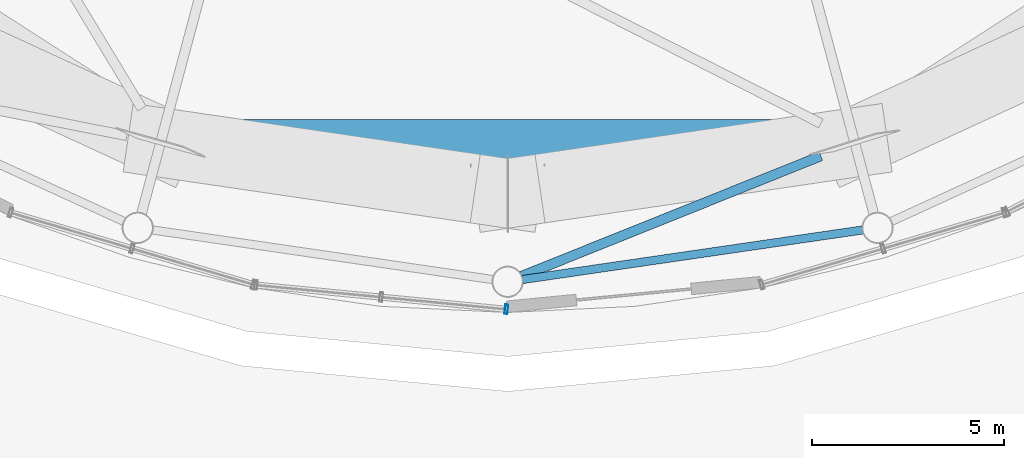
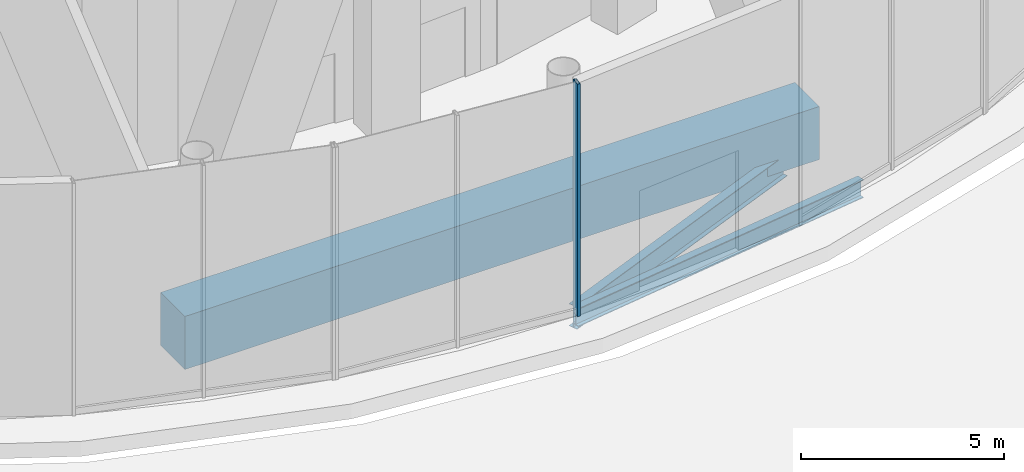
# One storey, part 14 of 67: 2 beams, 2 members, 1 element without a shape of its own.
"""IFC4 building model written with IfcOpenShell, lengths in metres."""

from ifc_helpers import new_model, si_unit, direction, frame, origin, origin_2d, place, context, subcontext, project, spatial, rectangle, hollow_rectangle, i_section, extrude, material, layer, layer_set, material_profile, profile_set, type_object, element, aggregate, save


model = new_model("IFC4")

# Units and contexts
model_context = context("Model", 3, precision=1e-05, world=origin(), true_north=direction((0.0, 1.0)))
body_context = subcontext(model_context, "Body", "Model", "MODEL_VIEW")
ifc_project = project(units=[si_unit("LENGTHUNIT", "METRE"), si_unit("AREAUNIT", "SQUARE_METRE"), si_unit("VOLUMEUNIT", "CUBIC_METRE"), si_unit("PLANEANGLEUNIT", "RADIAN"), si_unit("MASSUNIT", "GRAM", prefix="KILO")], contexts=[model_context])

# Site, building, storey
site_placement = place(None, origin())
site = spatial("IfcSite", under=ifc_project, at=site_placement, CompositionType="ELEMENT")
building_placement = place(site_placement, origin())
building = spatial("IfcBuilding", under=site, at=building_placement, Name="Nagisa Residences", CompositionType="ELEMENT")
storey_placement = place(building_placement, origin())
storey = spatial("IfcBuildingStorey", under=building, at=storey_placement, Name="L00", CompositionType="ELEMENT", Elevation=0.0)

# Beams
ifc_material_1 = material(Name="Steel ASTM A572 Gr 50", Category="steel")
ifc_material_profile_1 = material_profile(ifc_material_1, i_section(OverallWidth=0.2529296875, OverallDepth=0.677978515625, WebThickness=0.01171875, FlangeThickness=0.016357421875, at=origin_2d()), Name="W690x125")
ifc_profile_set_1 = profile_set([ifc_material_profile_1], Name="Steel ASTM A572 Gr 50")
beam_type_1 = type_object("IfcBeamType", Name="Atrium outer beam W690x125", PredefinedType="BEAM", material=ifc_profile_set_1)
beam_1_placement = place(storey_placement, frame((11.75146484375, -37.92822265625, -0.739013671875), z_axis=(-0.928030882423, -0.372503263435, 0.0), x_axis=(0.372503263435, -0.928030882423, 0.0)))
element("IfcBeam", 1, at=beam_1_placement, inside=storey, type_object=beam_type_1, Name="beam:L00:er19b", PredefinedType="BEAM", context=body_context, shape_type="SweptSolid", body=[
    extrude(i_section(OverallWidth=0.2529296875, OverallDepth=0.677978515625, WebThickness=0.01171875, FlangeThickness=0.016357421875, at=origin_2d()), origin(), (0.0, 0.0, 1.0), 8.39697265625),
])
ifc_material_2 = material(Name="Steel ASTM A572 Gr 50", Category="steel")
ifc_material_profile_2 = material_profile(ifc_material_2, i_section(OverallWidth=0.214111328125, OverallDepth=0.549072265625, WebThickness=0.0146484375, FlangeThickness=0.023681640625, at=origin_2d()), Name="W530x138")
ifc_profile_set_2 = profile_set([ifc_material_profile_2], Name="Steel ASTM A572 Gr 50")
beam_type_2 = type_object("IfcBeamType", Name="Atrium ring beam W530x138", PredefinedType="BEAM", material=ifc_profile_set_2)
beam_2_placement = place(storey_placement, frame((3.982421875, -41.144287109375, -0.674560546875), z_axis=(0.989534278419, 0.144297996638, 0.0), x_axis=(-0.144297996638, 0.989534278419, 0.0)))
element("IfcBeam", 2, at=beam_2_placement, inside=storey, type_object=beam_type_2, Name="beam:L00:ab19", PredefinedType="BEAM", context=body_context, shape_type="SweptSolid", body=[
    extrude(i_section(OverallWidth=0.214111328125, OverallDepth=0.549072265625, WebThickness=0.0146484375, FlangeThickness=0.023681640625, at=origin_2d()), origin(), (0.0, 0.0, 1.0), 8.95703125),
])

# Curtain wall, member
ifc_material_3 = material(Name="Stainless steel curtain wall system", Category="steel")
ifc_layer = layer(ifc_material_3, 0.159912109375)
ifc_layer_set = layer_set([ifc_layer], Name="CW3 CURTAIN WALL")
curtain_wall_type = type_object("IfcCurtainWallType", Name="CW3 CURTAIN WALL", PredefinedType="NOTDEFINED", material=ifc_layer_set)
curtain_wall_placement = place(storey_placement, origin())
curtain_wall = element("IfcCurtainWall", 3, at=curtain_wall_placement, inside=storey, type_object=curtain_wall_type, Name="cw:CW3:L00:26", PredefinedType="NOTDEFINED")
ifc_material_4 = material(Name="Stainless steel", Category="steel")
ifc_material_profile_3 = material_profile(ifc_material_4, hollow_rectangle(XDim=0.25, YDim=0.080078125, WallThickness=0.008056640625, at=origin_2d()), Name="CW3 MULLION 250x80")
ifc_profile_set_3 = profile_set([ifc_material_profile_3], Name="Stainless steel")
member_type_1 = type_object("IfcMemberType", Name="CW3 MULLION 250x80", PredefinedType="MULLION", material=ifc_profile_set_3)
member_1_placement = place(storey_placement, frame((3.56787109375, -41.91650390625, 0.0), z_axis=(0.0, 0.0, 1.0), x_axis=(0.096249055035, 0.995357282289, 0.0)))
member_1 = element("IfcMember", 4, at=member_1_placement, type_object=member_type_1, Name="CW3 mullion", PredefinedType="MULLION", context=body_context, shape_type="SweptSolid", body=[
    extrude(hollow_rectangle(XDim=0.25, YDim=0.080078125, WallThickness=0.008056640625, at=origin_2d()), origin(), (0.0, 0.0, 1.0), 7.0),
])
aggregate(curtain_wall, [member_1])

# Member
ifc_material_5 = material(Name="Concrete C80", Category="concrete")
ifc_material_profile_4 = material_profile(ifc_material_5, rectangle(XDim=1.199951171875, YDim=1.60009765625, at=origin_2d()), Name="C80 1200x1600")
ifc_profile_set_4 = profile_set([ifc_material_profile_4], Name="Concrete C80")
member_type_2 = type_object("IfcMemberType", Name="Cage ring 1 C80 1200x1600", PredefinedType="CHORD", material=ifc_profile_set_4)
member_2_placement = place(storey_placement, frame((-5.432861328125, -37.574462890625, 0.0), z_axis=(1.0, 0.0, 0.0), x_axis=(0.0, 1.0, 0.0)))
element("IfcMember", 5, at=member_2_placement, inside=storey, type_object=member_type_2, Name="beam:L00:cg1r009", PredefinedType="CHORD", context=body_context, shape_type="SweptSolid", body=[
    extrude(rectangle(XDim=1.199951171875, YDim=1.60009765625, at=origin_2d()), origin(), (0.0, 0.0, 1.0), 18.065673828125),
])

save(model, "model.ifc")
